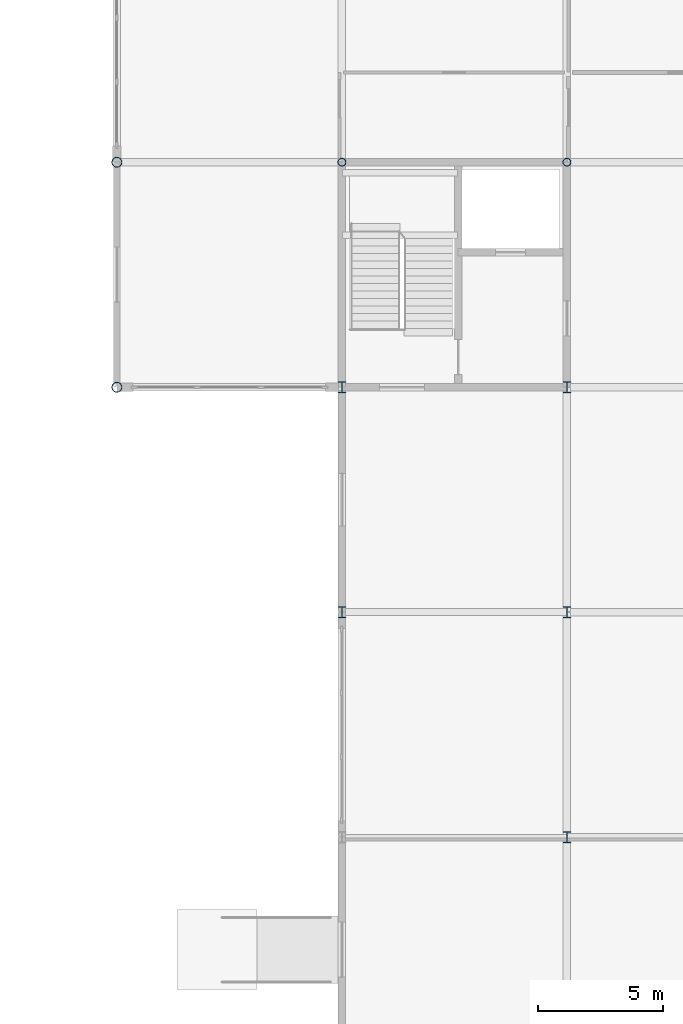
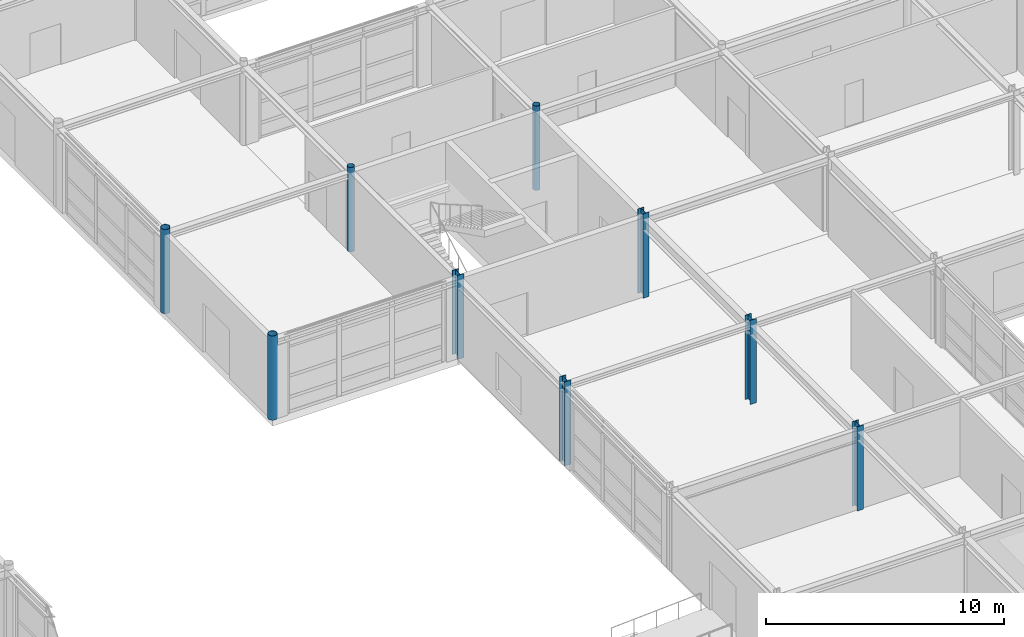
# One storey, part 7 of 72: 9 columns.
"""IFC4 building model written with IfcOpenShell, lengths in metres."""

from ifc_helpers import new_model, si_unit, direction, frame, origin, origin_2d, place, context, subcontext, project, spatial, hollow_circle, i_section, extrude, material, material_profile, profile_set, type_object, element, save


model = new_model("IFC4")

# Units and contexts
model_context = context("Model", 3, precision=1e-05, world=origin(), true_north=direction((0.0, 1.0)))
body_context = subcontext(model_context, "Body", "Model", "MODEL_VIEW")
ifc_project = project(units=[si_unit("LENGTHUNIT", "METRE"), si_unit("AREAUNIT", "SQUARE_METRE"), si_unit("VOLUMEUNIT", "CUBIC_METRE"), si_unit("PLANEANGLEUNIT", "RADIAN"), si_unit("MASSUNIT", "GRAM", prefix="KILO")], contexts=[model_context])

# Site, building, storey
site_placement = place(None, origin())
site = spatial("IfcSite", under=ifc_project, at=site_placement, CompositionType="ELEMENT")
building_placement = place(site_placement, origin())
building = spatial("IfcBuilding", under=site, at=building_placement, Name="Palais des Congres Ocreval", CompositionType="ELEMENT")
storey_placement = place(building_placement, origin())
storey = spatial("IfcBuildingStorey", under=building, at=storey_placement, Name="L00", CompositionType="ELEMENT", Elevation=0.0)

# Columns
ifc_material = material(Name="Steel S355", Category="steel")
ifc_material_profile_1 = material_profile(ifc_material, hollow_circle(Radius=0.161865234375, WallThickness=0.01611328125, at=origin_2d()), Name="CHS 323.9x16")
ifc_profile_set_1 = profile_set([ifc_material_profile_1], Name="Steel S355")
column_type_1 = type_object("IfcColumnType", Name="Column CHS 323.9x16 Steel S355", PredefinedType="COLUMN", material=ifc_profile_set_1)
for number, where, z_axis, x_axis, name in (
    (1, (108.0, 54.0, 0.0), (0.0, 0.0, 1.0), (1.0, 0.0, 0.0), "Column C16 L00"),
    (2, (117.0, 54.0, 0.0), (0.0, 0.0, 1.0), (1.0, 0.0, 0.0), "Column C16 L00"),
):
    element("IfcColumn", number, at=place(storey_placement, frame(where, z_axis=z_axis, x_axis=x_axis)), inside=storey, type_object=column_type_1, Name=name, PredefinedType="COLUMN", context=body_context, shape_type="SweptSolid", body=[
        extrude(hollow_circle(Radius=0.161865234375, WallThickness=0.01611328125, at=origin_2d()), origin(), (0.0, 0.0, 1.0), 4.320068359375),
    ])
ifc_material_profile_2 = material_profile(ifc_material, hollow_circle(Radius=0.203125, WallThickness=0.01611328125, at=origin_2d()), Name="CHS 406.4x16")
ifc_profile_set_2 = profile_set([ifc_material_profile_2], Name="Steel S355")
column_type_2 = type_object("IfcColumnType", Name="Column CHS 406.4x16 Steel S355", PredefinedType="COLUMN", material=ifc_profile_set_2)
for number, where, z_axis, x_axis, name in (
    (3, (99.0, 45.0, 0.0), (0.0, 0.0, 1.0), (1.0, 0.0, 0.0), "Column C15 L00"),
    (4, (99.0, 54.0, 0.0), (0.0, 0.0, 1.0), (1.0, 0.0, 0.0), "Column C15 L00"),
):
    element("IfcColumn", number, at=place(storey_placement, frame(where, z_axis=z_axis, x_axis=x_axis)), inside=storey, type_object=column_type_2, Name=name, PredefinedType="COLUMN", context=body_context, shape_type="SweptSolid", body=[
        extrude(hollow_circle(Radius=0.203125, WallThickness=0.01611328125, at=origin_2d()), origin(), (0.0, 0.0, 1.0), 4.320068359375),
    ])
ifc_material_profile_3 = material_profile(ifc_material, i_section(OverallWidth=0.300048828125, OverallDepth=0.449951171875, WebThickness=0.013916015625, FlangeThickness=0.02587890625, at=origin_2d()), Name="HEB 450")
ifc_profile_set_3 = profile_set([ifc_material_profile_3], Name="Steel S355")
column_type_3 = type_object("IfcColumnType", Name="Column HEB 450 Steel S355", PredefinedType="COLUMN", material=ifc_profile_set_3)
for number, where, z_axis, x_axis, name in (
    (5, (108.0, 36.0, 0.0), (0.0, 0.0, 1.0), (1.0, 0.0, 0.0), "Column C09 L00"),
    (6, (108.0, 45.0, 0.0), (0.0, 0.0, 1.0), (1.0, 0.0, 0.0), "Column C09 L00"),
    (7, (117.0, 27.0, 0.0), (0.0, 0.0, 1.0), (1.0, 0.0, 0.0), "Column C09 L00"),
    (8, (117.0, 36.0, 0.0), (0.0, 0.0, 1.0), (1.0, 0.0, 0.0), "Column C09 L00"),
    (9, (117.0, 45.0, 0.0), (0.0, 0.0, 1.0), (1.0, 0.0, 0.0), "Column C09 L00"),
):
    element("IfcColumn", number, at=place(storey_placement, frame(where, z_axis=z_axis, x_axis=x_axis)), inside=storey, type_object=column_type_3, Name=name, PredefinedType="COLUMN", context=body_context, shape_type="SweptSolid", body=[
        extrude(i_section(OverallWidth=0.300048828125, OverallDepth=0.449951171875, WebThickness=0.013916015625, FlangeThickness=0.02587890625, at=origin_2d()), origin(), (0.0, 0.0, 1.0), 4.320068359375),
    ])

save(model, "model.ifc")
